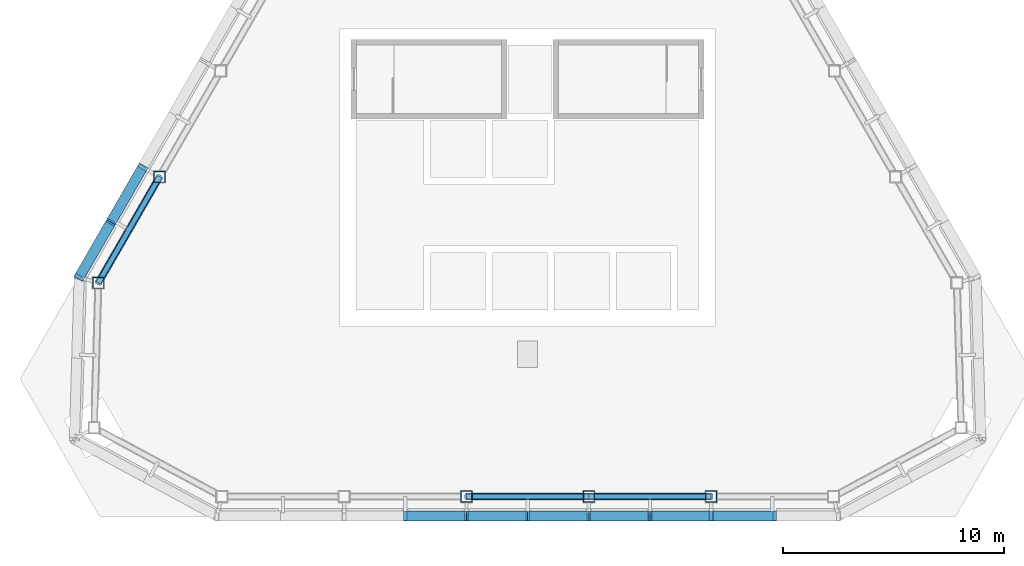
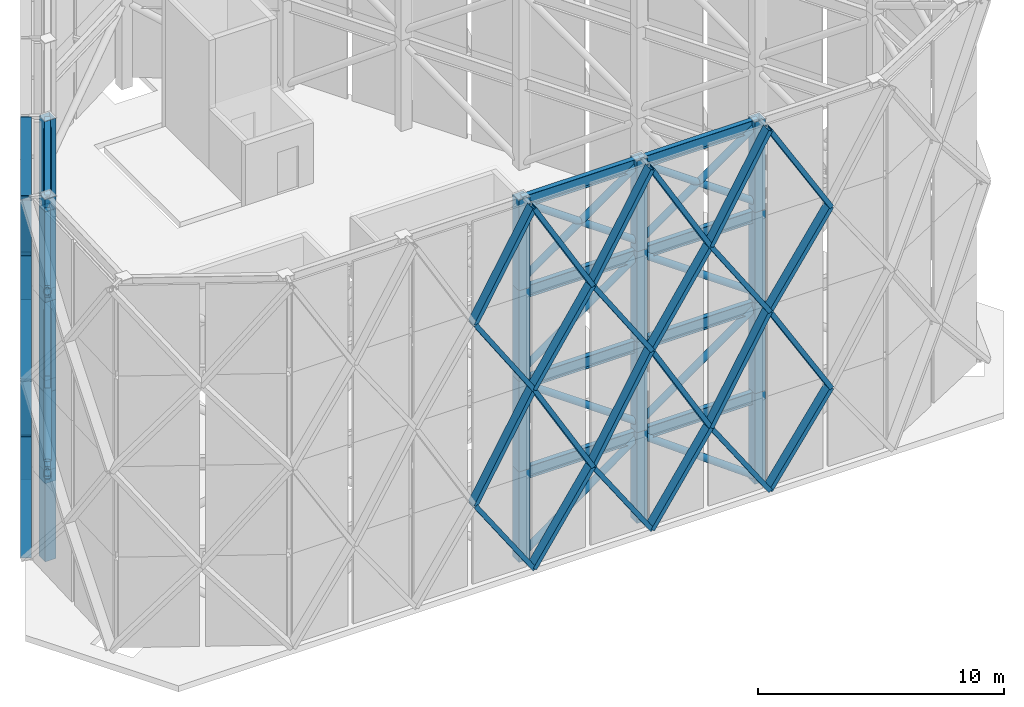
# One storey, part 2 of 12: 67 members, 12 beams.
"""IFC4 building model written with IfcOpenShell, lengths in metres."""

import ifcopenshell
import ifcopenshell.guid

model = None  # the IFC model being written
_history = None  # IfcOwnerHistory: only IFC2X3 demands one
_inside = {}  # id of a spatial element -> (the spatial element, [elements in it])
_under = {}  # id of a project, library or spatial element -> (it, [spatial elements below it])
_declared = {}  # id of a project -> (the project, [libraries it declares])
_typed = {}  # id of a type object -> (the type object, [elements of that type])
_made_of = {}  # id of a material, layer set ... -> (it, [elements and type objects made of it])


def new_model(schema):
    """Start an empty IFC model of exactly this schema.

    Asked for "IFC4X3", IfcOpenShell would pick the latest addendum, in which some entities
    have other attributes; the version numbers below select the first issue.
    IFC2X3 requires an IfcOwnerHistory on every rooted entity: one is made here for all.
    """
    global model, _history
    if schema == "IFC4X3":
        model = ifcopenshell.file(schema_version=(4, 3, 0, 0))
    else:
        model = ifcopenshell.file(schema=schema)
    _inside.clear()
    _under.clear()
    _declared.clear()
    _typed.clear()
    _made_of.clear()
    _history = None
    if model.schema == "IFC2X3":
        org = make("IfcOrganization", Name="unknown")
        user = make(
            "IfcPersonAndOrganization",
            ThePerson=make("IfcPerson", FamilyName="unknown"),
            TheOrganization=org,
        )
        app = make(
            "IfcApplication",
            ApplicationDeveloper=org,
            Version="unknown",
            ApplicationFullName="unknown",
            ApplicationIdentifier="unknown",
        )
        _history = make(
            "IfcOwnerHistory",
            OwningUser=user,
            OwningApplication=app,
            ChangeAction="ADDED",
            CreationDate=0,
        )
    return model


def make(cls, **values):
    """One entity of the class cls with the attributes given. An attribute that is None is left unset."""
    return model.create_entity(
        cls, **{name: value for name, value in values.items() if value is not None}
    )


def rooted(cls, **values):
    """An entity with a GlobalId (a new one), such as an element, a storey or a relation."""
    return make(cls, GlobalId=ifcopenshell.guid.new(), OwnerHistory=_history, **values)


def si_unit(unit_type, name, prefix=None):
    """IfcSIUnit, for example si_unit("LENGTHUNIT", "METRE", prefix="MILLI")."""
    return make("IfcSIUnit", UnitType=unit_type, Prefix=prefix, Name=name)


def assignment(units):
    """IfcUnitAssignment: the units of a project."""
    return None if units is None else make("IfcUnitAssignment", Units=units)


def point(xyz):
    """IfcCartesianPoint."""
    return None if xyz is None else make("IfcCartesianPoint", Coordinates=xyz)


def direction(xyz):
    """IfcDirection."""
    return None if xyz is None else make("IfcDirection", DirectionRatios=xyz)


def frame(location, z_axis=None, x_axis=None):
    """IfcAxis2Placement3D, a coordinate frame: its origin and axes. An axis left out is left unset."""
    return make(
        "IfcAxis2Placement3D",
        Location=point(location),
        Axis=direction(z_axis),
        RefDirection=direction(x_axis),
    )


def frame_2d(location, x_axis=None):
    """IfcAxis2Placement2D, a coordinate frame in the plane: its origin and x axis."""
    return make(
        "IfcAxis2Placement2D", Location=point(location), RefDirection=direction(x_axis)
    )


def origin():
    """The frame at (0, 0, 0) with its axes left unset."""
    return frame((0.0, 0.0, 0.0))


def origin_2d():
    """The frame at (0, 0) in the plane with its x axis left unset."""
    return frame_2d((0.0, 0.0))


def place(relative_to, where):
    """IfcLocalPlacement: puts the frame where relative to a parent placement (None: the world)."""
    return make(
        "IfcLocalPlacement", PlacementRelTo=relative_to, RelativePlacement=where
    )


def context(
    kind, dimensions, precision=None, world=None, true_north=None, identifier=None
):
    """IfcGeometricRepresentationContext, for example the 3D "Model" context."""
    return make(
        "IfcGeometricRepresentationContext",
        ContextIdentifier=identifier,
        ContextType=kind,
        CoordinateSpaceDimension=dimensions,
        Precision=precision,
        WorldCoordinateSystem=world,
        TrueNorth=true_north,
    )


def subcontext(parent, identifier, kind, view, scale=None):
    """IfcGeometricRepresentationSubContext, for example "Body" below "Model"."""
    return make(
        "IfcGeometricRepresentationSubContext",
        ContextIdentifier=identifier,
        ContextType=kind,
        ParentContext=parent,
        TargetScale=scale,
        TargetView=view,
    )


def project(units=None, contexts=None):
    """IfcProject with its units and contexts."""
    return rooted(
        "IfcProject",
        Name="project",
        RepresentationContexts=contexts,
        UnitsInContext=assignment(units),
    )


def spatial(cls, under=None, at=None, **own):
    """A site, building, storey or space (cls), placed at a placement, below another one or the project."""
    s = rooted(cls, ObjectPlacement=at, **own)
    if under is not None:
        _under.setdefault(under.id(), (under, []))[1].append(s)
    return s


def profile(cls, at=None, kind="AREA", **sizes):
    """A parametric profile (cls). Its sizes go by their IFC names, for example OverallWidth=200.0."""
    return make(cls, ProfileType=kind, Position=at, **sizes)


def hollow_rectangle(**sizes):
    """IfcRectangleHollowProfileDef."""
    return profile("IfcRectangleHollowProfileDef", **sizes)


def hollow_circle(**sizes):
    """IfcCircleHollowProfileDef."""
    return profile("IfcCircleHollowProfileDef", **sizes)


def i_section(**sizes):
    """IfcIShapeProfileDef."""
    return profile("IfcIShapeProfileDef", **sizes)


def extrude(swept, where, along, depth):
    """IfcExtrudedAreaSolid: the profile swept, set in the frame where, extruded along a direction by depth."""
    return make(
        "IfcExtrudedAreaSolid",
        SweptArea=swept,
        Position=where,
        ExtrudedDirection=direction(along),
        Depth=depth,
    )


def shape(context_of_items, identifier, shape_type, items):
    """IfcShapeRepresentation: the items that make up one representation, for example the "Body"."""
    return make(
        "IfcShapeRepresentation",
        ContextOfItems=context_of_items,
        RepresentationIdentifier=identifier,
        RepresentationType=shape_type,
        Items=items,
    )


def material(Name=None, Category=None):
    """IfcMaterial."""
    return make("IfcMaterial", Name=Name, Category=Category)


def material_profile(
    of_material, cross_section, Name=None, Category=None, Priority=None
):
    """IfcMaterialProfile: a cross section and its material."""
    return make(
        "IfcMaterialProfile",
        Name=Name,
        Material=of_material,
        Profile=cross_section,
        Priority=Priority,
        Category=Category,
    )


def profile_set(profiles, Name=None, composite=None):
    """IfcMaterialProfileSet."""
    return make(
        "IfcMaterialProfileSet",
        Name=Name,
        MaterialProfiles=profiles,
        CompositeProfile=composite,
    )


def made_of(thing, what):
    """Note that an element or type object is made of a material, layer set ...; save() writes the relation."""
    if what is not None:
        _made_of.setdefault(what.id(), (what, []))[1].append(thing)
    return thing


def type_object(cls, material=None, **own):
    """A type object (cls), such as IfcWallType, which elements share."""
    return made_of(rooted(cls, **own), material)


def element(
    cls,
    number,
    at=None,
    inside=None,
    cuts=None,
    type_object=None,
    material=None,
    context=None,
    identifier="Body",
    shape_type=None,
    held_by="IfcProductDefinitionShape",
    body=None,
    shapes=None,
    **own,
):
    """One element of the class cls, such as IfcWall. Its Tag is "e" and its number.

    at: its placement. inside: the storey or other place that contains it. cuts: it is an
    opening in that element (IfcRelVoidsElement). A single representation is given by context,
    identifier, shape_type and body (its items); several are given by shapes. held_by: the class
    of the entity that holds the representations. save() writes the other relations.
    """
    e = rooted(cls, Tag="e%d" % number, ObjectPlacement=at, **own)
    if body is not None:
        shapes = [shape(context, identifier, shape_type, body)]
    if shapes is not None:
        e.Representation = make(held_by, Representations=shapes)
    if inside is not None:
        _inside.setdefault(inside.id(), (inside, []))[1].append(e)
    if cuts is not None:
        rooted(
            "IfcRelVoidsElement", RelatingBuildingElement=cuts, RelatedOpeningElement=e
        )
    if type_object is not None:
        _typed.setdefault(type_object.id(), (type_object, []))[1].append(e)
    return made_of(e, material)


def aggregate(whole, parts):
    """IfcRelAggregates: a whole, such as a stair, and the parts it consists of."""
    return rooted("IfcRelAggregates", RelatingObject=whole, RelatedObjects=parts)


def save(model, path):
    """Write the relations noted so far, then the file.

    IfcRelAggregates (storeys below a building ...), IfcRelContainedInSpatialStructure (elements
    in a storey), IfcRelDefinesByType, IfcRelAssociatesMaterial and IfcRelDeclares: one each for
    every whole, place, type object, material and project.
    """
    for whole, parts in _under.values():
        aggregate(whole, parts)
    for where, things in _inside.values():
        rooted(
            "IfcRelContainedInSpatialStructure",
            RelatedElements=things,
            RelatingStructure=where,
        )
    for kind, things in _typed.values():
        rooted("IfcRelDefinesByType", RelatedObjects=things, RelatingType=kind)
    for what, things in _made_of.values():
        rooted("IfcRelAssociatesMaterial", RelatedObjects=things, RelatingMaterial=what)
    for by, libraries in _declared.values():
        rooted("IfcRelDeclares", RelatingContext=by, RelatedDefinitions=libraries)
    model.write(path)


model = new_model("IFC4")

# Units and contexts
model_context = context("Model", 3, precision=1e-05, world=origin(), true_north=direction((0.0, 1.0)))
body_context = subcontext(model_context, "Body", "Model", "MODEL_VIEW")
ifc_project = project(units=[si_unit("LENGTHUNIT", "METRE"), si_unit("AREAUNIT", "SQUARE_METRE"), si_unit("VOLUMEUNIT", "CUBIC_METRE"), si_unit("PLANEANGLEUNIT", "RADIAN"), si_unit("MASSUNIT", "GRAM", prefix="KILO")], contexts=[model_context])

# Site, building, storey
site_placement = place(None, origin())
site = spatial("IfcSite", under=ifc_project, at=site_placement, CompositionType="ELEMENT")
building_placement = place(site_placement, origin())
building = spatial("IfcBuilding", under=site, at=building_placement, Name="Firuza Gate Tower and Library", CompositionType="ELEMENT")
storey_placement = place(building_placement, frame((0.0, 0.0, 339.60009765625)))
storey = spatial("IfcBuildingStorey", under=building, at=storey_placement, Name="Roof", CompositionType="ELEMENT", Elevation=339.60009765625)

# Members
ifc_material_1 = material(Name="Steel S355", Category="steel")
ifc_material_profile_1 = material_profile(ifc_material_1, hollow_rectangle(XDim=0.457275390625, YDim=0.203125, WallThickness=0.01171875, at=origin_2d()))
ifc_profile_set_1 = profile_set([ifc_material_profile_1], Name="Steel S355")
member_type_1 = type_object("IfcMemberType", Name="Crown lattice bar HSS203x457x13", PredefinedType="BRACE", material=ifc_profile_set_1)
member_1_placement = place(storey_placement, frame((69.45703125, 59.663818359375, 4.198486328125), z_axis=(0.560154033806, 0.0, -0.828388470713), x_axis=(0.0, 1.0, 0.0)))
element("IfcMember", 1, at=member_1_placement, inside=storey, type_object=member_type_1, Name="Crown lattice bar 4.1b", PredefinedType="BRACE", context=body_context, shape_type="SweptSolid", body=[
    extrude(hollow_rectangle(XDim=0.457275390625, YDim=0.203125, WallThickness=0.01171875, at=origin_2d()), origin(), (0.0, 0.0, 1.0), 4.94775390625),
])
member_2_placement = place(storey_placement, frame((69.45703125, 59.663818359375, 4.198486328125), z_axis=(0.499909245226, 0.0, 0.866077794738), x_axis=(0.0, 1.0, 0.0)))
element("IfcMember", 2, at=member_2_placement, inside=storey, type_object=member_type_1, Name="Crown lattice bar 4.2b", PredefinedType="BRACE", context=body_context, shape_type="SweptSolid", body=[
    extrude(hollow_rectangle(XDim=0.457275390625, YDim=0.203125, WallThickness=0.01171875, at=origin_2d()), origin(), (0.0, 0.0, 1.0), 5.5439453125),
])
member_3_placement = place(storey_placement, frame((69.45703125, 59.663818359375, 13.198486328125), z_axis=(0.550909139412, 0.0, -0.834565228195), x_axis=(0.0, 1.0, 0.0)))
element("IfcMember", 3, at=member_3_placement, inside=storey, type_object=member_type_1, Name="Crown lattice bar 4.3b", PredefinedType="BRACE", context=body_context, shape_type="SweptSolid", body=[
    extrude(hollow_rectangle(XDim=0.457275390625, YDim=0.203125, WallThickness=0.01171875, at=origin_2d()), origin(), (0.0, 0.0, 1.0), 5.03076171875),
])
member_4_placement = place(storey_placement, frame((69.45703125, 59.663818359375, 13.198486328125), z_axis=(0.499909245226, 0.0, 0.866077794738), x_axis=(0.0, 1.0, 0.0)))
element("IfcMember", 4, at=member_4_placement, inside=storey, type_object=member_type_1, Name="Crown lattice bar 4.4b", PredefinedType="BRACE", context=body_context, shape_type="SweptSolid", body=[
    extrude(hollow_rectangle(XDim=0.457275390625, YDim=0.203125, WallThickness=0.01171875, at=origin_2d()), origin(), (0.0, 0.0, 1.0), 5.5439453125),
])
for number, where, z_axis, x_axis, name in (
    (5, (72.228515625, 59.663818359375, 0.099853515625), (0.560154033806, 0.0, 0.828388470713), (0.0, 1.0, 0.0), "Crown lattice bar 5.1a"),
    (6, (75.0, 59.663818359375, 4.198486328125), (0.560154033806, 0.0, -0.828388470713), (0.0, 1.0, 0.0), "Crown lattice bar 5.1b"),
):
    element("IfcMember", number, at=place(storey_placement, frame(where, z_axis=z_axis, x_axis=x_axis)), inside=storey, type_object=member_type_1, Name=name, PredefinedType="BRACE", context=body_context, shape_type="SweptSolid", body=[
        extrude(hollow_rectangle(XDim=0.457275390625, YDim=0.203125, WallThickness=0.01171875, at=origin_2d()), origin(), (0.0, 0.0, 1.0), 4.94775390625),
    ])
for number, where, z_axis, x_axis, name in (
    (7, (72.228515625, 59.663818359375, 9.0), (0.499909245226, 0.0, -0.866077794738), (0.0, 1.0, 0.0), "Crown lattice bar 5.2a"),
    (8, (75.0, 59.663818359375, 4.198486328125), (0.499909245226, 0.0, 0.866077794738), (0.0, 1.0, 0.0), "Crown lattice bar 5.2b"),
):
    element("IfcMember", number, at=place(storey_placement, frame(where, z_axis=z_axis, x_axis=x_axis)), inside=storey, type_object=member_type_1, Name=name, PredefinedType="BRACE", context=body_context, shape_type="SweptSolid", body=[
        extrude(hollow_rectangle(XDim=0.457275390625, YDim=0.203125, WallThickness=0.01171875, at=origin_2d()), origin(), (0.0, 0.0, 1.0), 5.5439453125),
    ])
for number, where, z_axis, x_axis, name in (
    (9, (72.228515625, 59.663818359375, 9.0), (0.550909139412, 0.0, 0.834565228195), (0.0, 1.0, 0.0), "Crown lattice bar 5.3a"),
    (10, (75.0, 59.663818359375, 13.198486328125), (0.550909139412, 0.0, -0.834565228195), (0.0, 1.0, 0.0), "Crown lattice bar 5.3b"),
):
    element("IfcMember", number, at=place(storey_placement, frame(where, z_axis=z_axis, x_axis=x_axis)), inside=storey, type_object=member_type_1, Name=name, PredefinedType="BRACE", context=body_context, shape_type="SweptSolid", body=[
        extrude(hollow_rectangle(XDim=0.457275390625, YDim=0.203125, WallThickness=0.01171875, at=origin_2d()), origin(), (0.0, 0.0, 1.0), 5.03076171875),
    ])
for number, where, z_axis, x_axis, name in (
    (11, (72.228515625, 59.663818359375, 18.0), (0.499909245226, 0.0, -0.866077794738), (0.0, 1.0, 0.0), "Crown lattice bar 5.4a"),
    (12, (75.0, 59.663818359375, 13.198486328125), (0.499909245226, 0.0, 0.866077794738), (0.0, 1.0, 0.0), "Crown lattice bar 5.4b"),
):
    element("IfcMember", number, at=place(storey_placement, frame(where, z_axis=z_axis, x_axis=x_axis)), inside=storey, type_object=member_type_1, Name=name, PredefinedType="BRACE", context=body_context, shape_type="SweptSolid", body=[
        extrude(hollow_rectangle(XDim=0.457275390625, YDim=0.203125, WallThickness=0.01171875, at=origin_2d()), origin(), (0.0, 0.0, 1.0), 5.5439453125),
    ])
member_5_placement = place(storey_placement, frame((77.771484375, 59.663818359375, 0.099853515625), z_axis=(0.560154033806, 0.0, 0.828388470713), x_axis=(0.0, 1.0, 0.0)))
element("IfcMember", 13, at=member_5_placement, inside=storey, type_object=member_type_1, Name="Crown lattice bar 6.1a", PredefinedType="BRACE", context=body_context, shape_type="SweptSolid", body=[
    extrude(hollow_rectangle(XDim=0.457275390625, YDim=0.203125, WallThickness=0.01171875, at=origin_2d()), origin(), (0.0, 0.0, 1.0), 4.94775390625),
])
member_6_placement = place(storey_placement, frame((80.54296875, 59.663818359375, 4.198486328125), z_axis=(0.560120171137, 0.0, -0.828411367549), x_axis=(0.0, 1.0, 0.0)))
element("IfcMember", 14, at=member_6_placement, inside=storey, type_object=member_type_1, Name="Crown lattice bar 6.1b", PredefinedType="BRACE", context=body_context, shape_type="SweptSolid", body=[
    extrude(hollow_rectangle(XDim=0.457275390625, YDim=0.203125, WallThickness=0.01171875, at=origin_2d()), origin(), (0.0, 0.0, 1.0), 4.947509765625),
])
for number, where, z_axis, x_axis, name in (
    (15, (77.771484375, 59.663818359375, 9.0), (0.499909245226, 0.0, -0.866077794738), (0.0, 1.0, 0.0), "Crown lattice bar 6.2a"),
    (16, (80.54296875, 59.663818359375, 4.198486328125), (0.499876212308, 0.0, 0.866096860847), (0.0, 1.0, 0.0), "Crown lattice bar 6.2b"),
):
    element("IfcMember", number, at=place(storey_placement, frame(where, z_axis=z_axis, x_axis=x_axis)), inside=storey, type_object=member_type_1, Name=name, PredefinedType="BRACE", context=body_context, shape_type="SweptSolid", body=[
        extrude(hollow_rectangle(XDim=0.457275390625, YDim=0.203125, WallThickness=0.01171875, at=origin_2d()), origin(), (0.0, 0.0, 1.0), 5.5439453125),
    ])
member_7_placement = place(storey_placement, frame((77.771484375, 59.663818359375, 9.0), z_axis=(0.550909139412, 0.0, 0.834565228195), x_axis=(0.0, 1.0, 0.0)))
element("IfcMember", 17, at=member_7_placement, inside=storey, type_object=member_type_1, Name="Crown lattice bar 6.3a", PredefinedType="BRACE", context=body_context, shape_type="SweptSolid", body=[
    extrude(hollow_rectangle(XDim=0.457275390625, YDim=0.203125, WallThickness=0.01171875, at=origin_2d()), origin(), (0.0, 0.0, 1.0), 5.03076171875),
])
member_8_placement = place(storey_placement, frame((80.54296875, 59.663818359375, 13.198486328125), z_axis=(0.550875337164, 0.0, -0.834587540588), x_axis=(0.0, 1.0, 0.0)))
element("IfcMember", 18, at=member_8_placement, inside=storey, type_object=member_type_1, Name="Crown lattice bar 6.3b", PredefinedType="BRACE", context=body_context, shape_type="SweptSolid", body=[
    extrude(hollow_rectangle(XDim=0.457275390625, YDim=0.203125, WallThickness=0.01171875, at=origin_2d()), origin(), (0.0, 0.0, 1.0), 5.030517578125),
])
for number, where, z_axis, x_axis, name in (
    (19, (77.771484375, 59.663818359375, 18.0), (0.499909245226, 0.0, -0.866077794738), (0.0, 1.0, 0.0), "Crown lattice bar 6.4a"),
    (20, (80.54296875, 59.663818359375, 13.198486328125), (0.499876212308, 0.0, 0.866096860847), (0.0, 1.0, 0.0), "Crown lattice bar 6.4b"),
):
    element("IfcMember", number, at=place(storey_placement, frame(where, z_axis=z_axis, x_axis=x_axis)), inside=storey, type_object=member_type_1, Name=name, PredefinedType="BRACE", context=body_context, shape_type="SweptSolid", body=[
        extrude(hollow_rectangle(XDim=0.457275390625, YDim=0.203125, WallThickness=0.01171875, at=origin_2d()), origin(), (0.0, 0.0, 1.0), 5.5439453125),
    ])
member_9_placement = place(storey_placement, frame((83.314208984375, 59.663818359375, 0.099853515625), z_axis=(0.575239922405, 0.0, 0.817984738043), x_axis=(0.0, 1.0, 0.0)))
element("IfcMember", 21, at=member_9_placement, inside=storey, type_object=member_type_1, Name="Crown lattice bar 7.1a", PredefinedType="BRACE", context=body_context, shape_type="SweptSolid", body=[
    extrude(hollow_rectangle(XDim=0.457275390625, YDim=0.203125, WallThickness=0.01171875, at=origin_2d()), origin(), (0.0, 0.0, 1.0), 5.0107421875),
])
member_10_placement = place(storey_placement, frame((83.314208984375, 59.663818359375, 9.0), z_axis=(0.51468166286, 0.0, -0.857381353842), x_axis=(0.0, 1.0, 0.0)))
element("IfcMember", 22, at=member_10_placement, inside=storey, type_object=member_type_1, Name="Crown lattice bar 7.2a", PredefinedType="BRACE", context=body_context, shape_type="SweptSolid", body=[
    extrude(hollow_rectangle(XDim=0.457275390625, YDim=0.203125, WallThickness=0.01171875, at=origin_2d()), origin(), (0.0, 0.0, 1.0), 5.60009765625),
])
member_11_placement = place(storey_placement, frame((83.314208984375, 59.663818359375, 9.0), z_axis=(0.565977324743, 0.0, 0.824420807523), x_axis=(0.0, 1.0, 0.0)))
element("IfcMember", 23, at=member_11_placement, inside=storey, type_object=member_type_1, Name="Crown lattice bar 7.3a", PredefinedType="BRACE", context=body_context, shape_type="SweptSolid", body=[
    extrude(hollow_rectangle(XDim=0.457275390625, YDim=0.203125, WallThickness=0.01171875, at=origin_2d()), origin(), (0.0, 0.0, 1.0), 5.092529296875),
])
member_12_placement = place(storey_placement, frame((83.314208984375, 59.663818359375, 18.0), z_axis=(0.51468166286, 0.0, -0.857381353842), x_axis=(0.0, 1.0, 0.0)))
element("IfcMember", 24, at=member_12_placement, inside=storey, type_object=member_type_1, Name="Crown lattice bar 7.4a", PredefinedType="BRACE", context=body_context, shape_type="SweptSolid", body=[
    extrude(hollow_rectangle(XDim=0.457275390625, YDim=0.203125, WallThickness=0.01171875, at=origin_2d()), origin(), (0.0, 0.0, 1.0), 5.60009765625),
])
member_13_placement = place(storey_placement, frame((57.561279296875, 75.4677734375, 0.099853515625), z_axis=(-0.287570351699, -0.498205158611, 0.817982220319), x_axis=(0.866076985468, -0.49991064726, 0.0)))
element("IfcMember", 25, at=member_13_placement, inside=storey, type_object=member_type_1, Name="Crown lattice bar 21.1a", PredefinedType="BRACE", context=body_context, shape_type="SweptSolid", body=[
    extrude(hollow_rectangle(XDim=0.457275390625, YDim=0.203125, WallThickness=0.01171875, at=origin_2d()), origin(), (0.0, 0.0, 1.0), 5.0107421875),
])
member_14_placement = place(storey_placement, frame((56.120361328125, 72.971435546875, 4.198486328125), z_axis=(-0.287622027122, -0.498161545874, -0.817990613471), x_axis=(0.866019137337, -0.500010853648, 0.0)))
element("IfcMember", 26, at=member_14_placement, inside=storey, type_object=member_type_1, Name="Crown lattice bar 21.1b", PredefinedType="BRACE", context=body_context, shape_type="SweptSolid", body=[
    extrude(hollow_rectangle(XDim=0.457275390625, YDim=0.203125, WallThickness=0.01171875, at=origin_2d()), origin(), (0.0, 0.0, 1.0), 5.010498046875),
])
member_15_placement = place(storey_placement, frame((57.561279296875, 75.4677734375, 9.0), z_axis=(-0.257296602523, -0.445756990986, -0.857379241244), x_axis=(0.866076985468, -0.49991064726, 0.0)))
element("IfcMember", 27, at=member_15_placement, inside=storey, type_object=member_type_1, Name="Crown lattice bar 21.2a", PredefinedType="BRACE", context=body_context, shape_type="SweptSolid", body=[
    extrude(hollow_rectangle(XDim=0.457275390625, YDim=0.203125, WallThickness=0.01171875, at=origin_2d()), origin(), (0.0, 0.0, 1.0), 5.600341796875),
])
member_16_placement = place(storey_placement, frame((56.120361328125, 72.971435546875, 4.198486328125), z_axis=(-0.257342311156, -0.445717057303, 0.85738628384), x_axis=(0.866019137337, -0.500010853648, 0.0)))
element("IfcMember", 28, at=member_16_placement, inside=storey, type_object=member_type_1, Name="Crown lattice bar 21.2b", PredefinedType="BRACE", context=body_context, shape_type="SweptSolid", body=[
    extrude(hollow_rectangle(XDim=0.457275390625, YDim=0.203125, WallThickness=0.01171875, at=origin_2d()), origin(), (0.0, 0.0, 1.0), 5.60009765625),
])
member_17_placement = place(storey_placement, frame((57.561279296875, 75.4677734375, 9.0), z_axis=(-0.282939879508, -0.49018303422, 0.824418351049), x_axis=(0.866076985468, -0.49991064726, 0.0)))
element("IfcMember", 29, at=member_17_placement, inside=storey, type_object=member_type_1, Name="Crown lattice bar 21.3a", PredefinedType="BRACE", context=body_context, shape_type="SweptSolid", body=[
    extrude(hollow_rectangle(XDim=0.457275390625, YDim=0.203125, WallThickness=0.01171875, at=origin_2d()), origin(), (0.0, 0.0, 1.0), 5.0927734375),
])
member_18_placement = place(storey_placement, frame((56.120361328125, 72.971435546875, 13.198486328125), z_axis=(-0.282990630091, -0.490139963079, -0.82442654001), x_axis=(0.866019137337, -0.500010853648, 0.0)))
element("IfcMember", 30, at=member_18_placement, inside=storey, type_object=member_type_1, Name="Crown lattice bar 21.3b", PredefinedType="BRACE", context=body_context, shape_type="SweptSolid", body=[
    extrude(hollow_rectangle(XDim=0.457275390625, YDim=0.203125, WallThickness=0.01171875, at=origin_2d()), origin(), (0.0, 0.0, 1.0), 5.092529296875),
])
member_19_placement = place(storey_placement, frame((57.561279296875, 75.4677734375, 18.0), z_axis=(-0.257296602523, -0.445756990986, -0.857379241244), x_axis=(0.866076985468, -0.49991064726, 0.0)))
element("IfcMember", 31, at=member_19_placement, inside=storey, type_object=member_type_1, Name="Crown lattice bar 21.4a", PredefinedType="BRACE", context=body_context, shape_type="SweptSolid", body=[
    extrude(hollow_rectangle(XDim=0.457275390625, YDim=0.203125, WallThickness=0.01171875, at=origin_2d()), origin(), (0.0, 0.0, 1.0), 5.600341796875),
])
member_20_placement = place(storey_placement, frame((56.120361328125, 72.971435546875, 13.198486328125), z_axis=(-0.257342311156, -0.445717057303, 0.85738628384), x_axis=(0.866019137337, -0.500010853648, 0.0)))
element("IfcMember", 32, at=member_20_placement, inside=storey, type_object=member_type_1, Name="Crown lattice bar 21.4b", PredefinedType="BRACE", context=body_context, shape_type="SweptSolid", body=[
    extrude(hollow_rectangle(XDim=0.457275390625, YDim=0.203125, WallThickness=0.01171875, at=origin_2d()), origin(), (0.0, 0.0, 1.0), 5.60009765625),
])
ifc_material_2 = material(Name="Steel S355", Category="steel")
ifc_material_profile_2 = material_profile(ifc_material_2, hollow_circle(Radius=0.161865234375, WallThickness=0.01171875, at=origin_2d()))
ifc_profile_set_2 = profile_set([ifc_material_profile_2], Name="Steel S355")
member_type_2 = type_object("IfcMemberType", Name="HSS324x13 CROWN FRAME brace", PredefinedType="BRACE", material=ifc_profile_set_2)
for number, where, z_axis, x_axis, name in (
    (33, (72.228515625, 60.54248046875, 0.161865234375), (0.808363326322, 0.0, 0.588683898758), (0.0, 1.0, 0.0), "CROWN FRAME brace tier 1 5"),
    (34, (83.314208984375, 60.54248046875, 0.161865234375), (-0.808350987114, 0.0, 0.588700842221), (0.0, -1.0, 0.0), "CROWN FRAME brace tier 1 6"),
    (35, (58.322265625, 75.0283203125, 0.161865234375), (-0.40418408875, -0.700058804881, 0.588687431589), (0.86602275259, -0.500004591975, 0.0), "CROWN FRAME brace tier 1 21"),
):
    element("IfcMember", number, at=place(storey_placement, frame(where, z_axis=z_axis, x_axis=x_axis)), inside=storey, type_object=member_type_2, Name=name, PredefinedType="BRACE", context=body_context, shape_type="SweptSolid", body=[
        extrude(hollow_circle(Radius=0.161865234375, WallThickness=0.01171875, at=origin_2d()), origin(), (0.0, 0.0, 1.0), 6.85693359375),
    ])
member_21_placement = place(storey_placement, frame((77.771484375, 60.54248046875, 4.801513671875), z_axis=(-0.818058825437, 0.0, 0.575134556538), x_axis=(0.0, -1.0, 0.0)))
element("IfcMember", 36, at=member_21_placement, inside=storey, type_object=member_type_2, Name="CROWN FRAME brace tier 2 5", PredefinedType="BRACE", context=body_context, shape_type="SweptSolid", body=[
    extrude(hollow_circle(Radius=0.161865234375, WallThickness=0.01171875, at=origin_2d()), origin(), (0.0, 0.0, 1.0), 6.77587890625),
])
for number, where, z_axis, x_axis, name in (
    (37, (77.771484375, 60.54248046875, 4.801513671875), (0.818046906425, 0.0, 0.575151509508), (0.0, 1.0, 0.0), "CROWN FRAME brace tier 2 6"),
    (38, (55.55078125, 70.22802734375, 4.801513671875), (0.409031926637, 0.708455403588, 0.575138091347), (-0.86602275259, 0.500004591975, 0.0), "CROWN FRAME brace tier 2 21"),
):
    element("IfcMember", number, at=place(storey_placement, frame(where, z_axis=z_axis, x_axis=x_axis)), inside=storey, type_object=member_type_2, Name=name, PredefinedType="BRACE", context=body_context, shape_type="SweptSolid", body=[
        extrude(hollow_circle(Radius=0.161865234375, WallThickness=0.01171875, at=origin_2d()), origin(), (0.0, 0.0, 1.0), 6.775634765625),
    ])
member_22_placement = place(storey_placement, frame((72.228515625, 60.54248046875, 9.301513671875), z_axis=(0.818058825437, 0.0, 0.575134556538), x_axis=(0.0, 1.0, 0.0)))
element("IfcMember", 39, at=member_22_placement, inside=storey, type_object=member_type_2, Name="CROWN FRAME brace tier 3 5", PredefinedType="BRACE", context=body_context, shape_type="SweptSolid", body=[
    extrude(hollow_circle(Radius=0.161865234375, WallThickness=0.01171875, at=origin_2d()), origin(), (0.0, 0.0, 1.0), 6.77587890625),
])
for number, where, z_axis, x_axis, name in (
    (40, (83.314208984375, 60.54248046875, 9.301513671875), (-0.818046906425, 0.0, 0.575151509508), (0.0, -1.0, 0.0), "CROWN FRAME brace tier 3 6"),
    (41, (58.322265625, 75.0283203125, 9.301513671875), (-0.409031926637, -0.708455403588, 0.575138091347), (0.86602275259, -0.500004591975, 0.0), "CROWN FRAME brace tier 3 21"),
):
    element("IfcMember", number, at=place(storey_placement, frame(where, z_axis=z_axis, x_axis=x_axis)), inside=storey, type_object=member_type_2, Name=name, PredefinedType="BRACE", context=body_context, shape_type="SweptSolid", body=[
        extrude(hollow_circle(Radius=0.161865234375, WallThickness=0.01171875, at=origin_2d()), origin(), (0.0, 0.0, 1.0), 6.775634765625),
    ])
for number, where, z_axis, x_axis, name in (
    (42, (77.771484375, 60.54248046875, 13.801513671875), (-0.818058825437, 0.0, 0.575134556538), (0.0, -1.0, 0.0), "CROWN FRAME brace tier 4 5"),
    (43, (72.228515625, 60.54248046875, 13.801513671875), (0.818058825437, 0.0, 0.575134556538), (0.0, 1.0, 0.0), "CROWN FRAME counter brace tier 4 5"),
):
    element("IfcMember", number, at=place(storey_placement, frame(where, z_axis=z_axis, x_axis=x_axis)), inside=storey, type_object=member_type_2, Name=name, PredefinedType="BRACE", context=body_context, shape_type="SweptSolid", body=[
        extrude(hollow_circle(Radius=0.161865234375, WallThickness=0.01171875, at=origin_2d()), origin(), (0.0, 0.0, 1.0), 6.77587890625),
    ])
for number, where, z_axis, x_axis, name in (
    (44, (77.771484375, 60.54248046875, 13.801513671875), (0.818046906425, 0.0, 0.575151509508), (0.0, 1.0, 0.0), "CROWN FRAME brace tier 4 6"),
    (45, (83.314208984375, 60.54248046875, 13.801513671875), (-0.818046906425, 0.0, 0.575151509508), (0.0, -1.0, 0.0), "CROWN FRAME counter brace tier 4 6"),
    (46, (55.55078125, 70.22802734375, 13.801513671875), (0.409031926637, 0.708455403588, 0.575138091347), (-0.86602275259, 0.500004591975, 0.0), "CROWN FRAME brace tier 4 21"),
    (47, (58.322265625, 75.0283203125, 13.801513671875), (-0.409031926637, -0.708455403588, 0.575138091347), (0.86602275259, -0.500004591975, 0.0), "CROWN FRAME counter brace tier 4 21"),
):
    element("IfcMember", number, at=place(storey_placement, frame(where, z_axis=z_axis, x_axis=x_axis)), inside=storey, type_object=member_type_2, Name=name, PredefinedType="BRACE", context=body_context, shape_type="SweptSolid", body=[
        extrude(hollow_circle(Radius=0.161865234375, WallThickness=0.01171875, at=origin_2d()), origin(), (0.0, 0.0, 1.0), 6.775634765625),
    ])
ifc_material_3 = material(Name="Steel S355", Category="steel")
ifc_material_profile_3 = material_profile(ifc_material_3, hollow_rectangle(XDim=0.508056640625, YDim=0.508056640625, WallThickness=0.014892578125, at=origin_2d()))
ifc_profile_set_3 = profile_set([ifc_material_profile_3], Name="Steel S355")
member_type_3 = type_object("IfcMemberType", Name="HSS508x508x16 CROWN FRAME post", PredefinedType="POST", material=ifc_profile_set_3)
member_23_placement = place(storey_placement, frame((55.55078125, 70.22802734375, -0.00048828125), z_axis=(0.0, 0.0, 1.0), x_axis=(1.0, 0.0, 0.0)))
element("IfcMember", 48, at=member_23_placement, inside=storey, type_object=member_type_3, Name="CROWN FRAME post W6 tier 1", PredefinedType="POST", context=body_context, shape_type="SweptSolid", body=[
    extrude(hollow_rectangle(XDim=0.508056640625, YDim=0.508056640625, WallThickness=0.014892578125, at=origin_2d()), origin(), (0.0, 0.0, 1.0), 4.50048828125),
])
for number, where, z_axis, x_axis, name in (
    (49, (55.55078125, 70.22802734375, 4.5), (0.0, 0.0, 1.0), (1.0, 0.0, 0.0), "CROWN FRAME post W6 tier 2"),
    (50, (55.55078125, 70.22802734375, 9.0), (0.0, 0.0, 1.0), (1.0, 0.0, 0.0), "CROWN FRAME post W6 tier 3"),
    (51, (55.55078125, 70.22802734375, 13.5), (0.0, 0.0, 1.0), (1.0, 0.0, 0.0), "CROWN FRAME post W6 tier 4"),
):
    element("IfcMember", number, at=place(storey_placement, frame(where, z_axis=z_axis, x_axis=x_axis)), inside=storey, type_object=member_type_3, Name=name, PredefinedType="POST", context=body_context, shape_type="SweptSolid", body=[
        extrude(hollow_rectangle(XDim=0.508056640625, YDim=0.508056640625, WallThickness=0.014892578125, at=origin_2d()), origin(), (0.0, 0.0, 1.0), 4.5),
    ])
member_24_placement = place(storey_placement, frame((72.228515625, 60.54248046875, -0.00048828125), z_axis=(0.0, 0.0, 1.0), x_axis=(1.0, 0.0, 0.0)))
element("IfcMember", 52, at=member_24_placement, inside=storey, type_object=member_type_3, Name="CROWN FRAME post S3 tier 1", PredefinedType="POST", context=body_context, shape_type="SweptSolid", body=[
    extrude(hollow_rectangle(XDim=0.508056640625, YDim=0.508056640625, WallThickness=0.014892578125, at=origin_2d()), origin(), (0.0, 0.0, 1.0), 4.50048828125),
])
for number, where, z_axis, x_axis, name in (
    (53, (72.228515625, 60.54248046875, 4.5), (0.0, 0.0, 1.0), (1.0, 0.0, 0.0), "CROWN FRAME post S3 tier 2"),
    (54, (72.228515625, 60.54248046875, 9.0), (0.0, 0.0, 1.0), (1.0, 0.0, 0.0), "CROWN FRAME post S3 tier 3"),
    (55, (72.228515625, 60.54248046875, 13.5), (0.0, 0.0, 1.0), (1.0, 0.0, 0.0), "CROWN FRAME post S3 tier 4"),
):
    element("IfcMember", number, at=place(storey_placement, frame(where, z_axis=z_axis, x_axis=x_axis)), inside=storey, type_object=member_type_3, Name=name, PredefinedType="POST", context=body_context, shape_type="SweptSolid", body=[
        extrude(hollow_rectangle(XDim=0.508056640625, YDim=0.508056640625, WallThickness=0.014892578125, at=origin_2d()), origin(), (0.0, 0.0, 1.0), 4.5),
    ])
member_25_placement = place(storey_placement, frame((77.771484375, 60.54248046875, -0.00048828125), z_axis=(0.0, 0.0, 1.0), x_axis=(1.0, 0.0, 0.0)))
element("IfcMember", 56, at=member_25_placement, inside=storey, type_object=member_type_3, Name="CROWN FRAME post S4 tier 1", PredefinedType="POST", context=body_context, shape_type="SweptSolid", body=[
    extrude(hollow_rectangle(XDim=0.508056640625, YDim=0.508056640625, WallThickness=0.014892578125, at=origin_2d()), origin(), (0.0, 0.0, 1.0), 4.50048828125),
])
for number, where, z_axis, x_axis, name in (
    (57, (77.771484375, 60.54248046875, 4.5), (0.0, 0.0, 1.0), (1.0, 0.0, 0.0), "CROWN FRAME post S4 tier 2"),
    (58, (77.771484375, 60.54248046875, 9.0), (0.0, 0.0, 1.0), (1.0, 0.0, 0.0), "CROWN FRAME post S4 tier 3"),
    (59, (77.771484375, 60.54248046875, 13.5), (0.0, 0.0, 1.0), (1.0, 0.0, 0.0), "CROWN FRAME post S4 tier 4"),
):
    element("IfcMember", number, at=place(storey_placement, frame(where, z_axis=z_axis, x_axis=x_axis)), inside=storey, type_object=member_type_3, Name=name, PredefinedType="POST", context=body_context, shape_type="SweptSolid", body=[
        extrude(hollow_rectangle(XDim=0.508056640625, YDim=0.508056640625, WallThickness=0.014892578125, at=origin_2d()), origin(), (0.0, 0.0, 1.0), 4.5),
    ])
member_26_placement = place(storey_placement, frame((83.314208984375, 60.54248046875, -0.00048828125), z_axis=(0.0, 0.0, 1.0), x_axis=(1.0, 0.0, 0.0)))
element("IfcMember", 60, at=member_26_placement, inside=storey, type_object=member_type_3, Name="CROWN FRAME post S5 tier 1", PredefinedType="POST", context=body_context, shape_type="SweptSolid", body=[
    extrude(hollow_rectangle(XDim=0.508056640625, YDim=0.508056640625, WallThickness=0.014892578125, at=origin_2d()), origin(), (0.0, 0.0, 1.0), 4.50048828125),
])
for number, where, z_axis, x_axis, name in (
    (61, (83.314208984375, 60.54248046875, 4.5), (0.0, 0.0, 1.0), (1.0, 0.0, 0.0), "CROWN FRAME post S5 tier 2"),
    (62, (83.314208984375, 60.54248046875, 9.0), (0.0, 0.0, 1.0), (1.0, 0.0, 0.0), "CROWN FRAME post S5 tier 3"),
    (63, (83.314208984375, 60.54248046875, 13.5), (0.0, 0.0, 1.0), (1.0, 0.0, 0.0), "CROWN FRAME post S5 tier 4"),
):
    element("IfcMember", number, at=place(storey_placement, frame(where, z_axis=z_axis, x_axis=x_axis)), inside=storey, type_object=member_type_3, Name=name, PredefinedType="POST", context=body_context, shape_type="SweptSolid", body=[
        extrude(hollow_rectangle(XDim=0.508056640625, YDim=0.508056640625, WallThickness=0.014892578125, at=origin_2d()), origin(), (0.0, 0.0, 1.0), 4.5),
    ])
member_27_placement = place(storey_placement, frame((58.322265625, 75.0283203125, -0.00048828125), z_axis=(0.0, 0.0, 1.0), x_axis=(1.0, 0.0, 0.0)))
element("IfcMember", 64, at=member_27_placement, inside=storey, type_object=member_type_3, Name="CROWN FRAME post W5 tier 1", PredefinedType="POST", context=body_context, shape_type="SweptSolid", body=[
    extrude(hollow_rectangle(XDim=0.508056640625, YDim=0.508056640625, WallThickness=0.014892578125, at=origin_2d()), origin(), (0.0, 0.0, 1.0), 4.50048828125),
])
for number, where, z_axis, x_axis, name in (
    (65, (58.322265625, 75.0283203125, 4.5), (0.0, 0.0, 1.0), (1.0, 0.0, 0.0), "CROWN FRAME post W5 tier 2"),
    (66, (58.322265625, 75.0283203125, 9.0), (0.0, 0.0, 1.0), (1.0, 0.0, 0.0), "CROWN FRAME post W5 tier 3"),
    (67, (58.322265625, 75.0283203125, 13.5), (0.0, 0.0, 1.0), (1.0, 0.0, 0.0), "CROWN FRAME post W5 tier 4"),
):
    element("IfcMember", number, at=place(storey_placement, frame(where, z_axis=z_axis, x_axis=x_axis)), inside=storey, type_object=member_type_3, Name=name, PredefinedType="POST", context=body_context, shape_type="SweptSolid", body=[
        extrude(hollow_rectangle(XDim=0.508056640625, YDim=0.508056640625, WallThickness=0.014892578125, at=origin_2d()), origin(), (0.0, 0.0, 1.0), 4.5),
    ])

# Beams
ifc_material_4 = material(Name="Steel S355", Category="steel")
ifc_material_profile_4 = material_profile(ifc_material_4, i_section(OverallWidth=0.22802734375, OverallDepth=0.60302734375, WebThickness=0.010498046875, FlangeThickness=0.014892578125, at=origin_2d()))
ifc_profile_set_4 = profile_set([ifc_material_profile_4], Name="Steel S355")
beam_type = type_object("IfcBeamType", Name="W610x101 CROWN FRAME ring beam", PredefinedType="BEAM", material=ifc_profile_set_4)
beam_1_placement = place(storey_placement, frame((72.228515625, 60.54248046875, 4.198486328125), z_axis=(1.0, 0.0, 0.0), x_axis=(0.0, 1.0, 0.0)))
element("IfcBeam", 68, at=beam_1_placement, inside=storey, type_object=beam_type, Name="CROWN FRAME ring beam tier 1 5", PredefinedType="BEAM", context=body_context, shape_type="SweptSolid", body=[
    extrude(i_section(OverallWidth=0.22802734375, OverallDepth=0.60302734375, WebThickness=0.010498046875, FlangeThickness=0.014892578125, at=origin_2d()), origin(), (0.0, 0.0, 1.0), 5.54296875),
])
beam_2_placement = place(storey_placement, frame((77.771484375, 60.54248046875, 4.198486328125), z_axis=(1.0, 0.0, 0.0), x_axis=(0.0, 1.0, 0.0)))
element("IfcBeam", 69, at=beam_2_placement, inside=storey, type_object=beam_type, Name="CROWN FRAME ring beam tier 1 6", PredefinedType="BEAM", context=body_context, shape_type="SweptSolid", body=[
    extrude(i_section(OverallWidth=0.22802734375, OverallDepth=0.60302734375, WebThickness=0.010498046875, FlangeThickness=0.014892578125, at=origin_2d()), origin(), (0.0, 0.0, 1.0), 5.542724609375),
])
for number, where, z_axis, x_axis, name in (
    (70, (58.322265625, 75.0283203125, 4.198486328125), (-0.500004591975, -0.86602275259, 0.0), (0.86602275259, -0.500004591975, 0.0), "CROWN FRAME ring beam tier 1 21"),
    (71, (72.228515625, 60.54248046875, 8.698486328125), (1.0, 0.0, 0.0), (0.0, 1.0, 0.0), "CROWN FRAME ring beam tier 2 5"),
):
    element("IfcBeam", number, at=place(storey_placement, frame(where, z_axis=z_axis, x_axis=x_axis)), inside=storey, type_object=beam_type, Name=name, PredefinedType="BEAM", context=body_context, shape_type="SweptSolid", body=[
        extrude(i_section(OverallWidth=0.22802734375, OverallDepth=0.60302734375, WebThickness=0.010498046875, FlangeThickness=0.014892578125, at=origin_2d()), origin(), (0.0, 0.0, 1.0), 5.54296875),
    ])
beam_3_placement = place(storey_placement, frame((77.771484375, 60.54248046875, 8.698486328125), z_axis=(1.0, 0.0, 0.0), x_axis=(0.0, 1.0, 0.0)))
element("IfcBeam", 72, at=beam_3_placement, inside=storey, type_object=beam_type, Name="CROWN FRAME ring beam tier 2 6", PredefinedType="BEAM", context=body_context, shape_type="SweptSolid", body=[
    extrude(i_section(OverallWidth=0.22802734375, OverallDepth=0.60302734375, WebThickness=0.010498046875, FlangeThickness=0.014892578125, at=origin_2d()), origin(), (0.0, 0.0, 1.0), 5.542724609375),
])
for number, where, z_axis, x_axis, name in (
    (73, (58.322265625, 75.0283203125, 8.698486328125), (-0.500004591975, -0.86602275259, 0.0), (0.86602275259, -0.500004591975, 0.0), "CROWN FRAME ring beam tier 2 21"),
    (74, (72.228515625, 60.54248046875, 13.198486328125), (1.0, 0.0, 0.0), (0.0, 1.0, 0.0), "CROWN FRAME ring beam tier 3 5"),
):
    element("IfcBeam", number, at=place(storey_placement, frame(where, z_axis=z_axis, x_axis=x_axis)), inside=storey, type_object=beam_type, Name=name, PredefinedType="BEAM", context=body_context, shape_type="SweptSolid", body=[
        extrude(i_section(OverallWidth=0.22802734375, OverallDepth=0.60302734375, WebThickness=0.010498046875, FlangeThickness=0.014892578125, at=origin_2d()), origin(), (0.0, 0.0, 1.0), 5.54296875),
    ])
beam_4_placement = place(storey_placement, frame((77.771484375, 60.54248046875, 13.198486328125), z_axis=(1.0, 0.0, 0.0), x_axis=(0.0, 1.0, 0.0)))
element("IfcBeam", 75, at=beam_4_placement, inside=storey, type_object=beam_type, Name="CROWN FRAME ring beam tier 3 6", PredefinedType="BEAM", context=body_context, shape_type="SweptSolid", body=[
    extrude(i_section(OverallWidth=0.22802734375, OverallDepth=0.60302734375, WebThickness=0.010498046875, FlangeThickness=0.014892578125, at=origin_2d()), origin(), (0.0, 0.0, 1.0), 5.542724609375),
])
for number, where, z_axis, x_axis, name in (
    (76, (58.322265625, 75.0283203125, 13.198486328125), (-0.500004591975, -0.86602275259, 0.0), (0.86602275259, -0.500004591975, 0.0), "CROWN FRAME ring beam tier 3 21"),
    (77, (72.228515625, 60.54248046875, 17.698486328125), (1.0, 0.0, 0.0), (0.0, 1.0, 0.0), "CROWN FRAME ring beam tier 4 5"),
):
    element("IfcBeam", number, at=place(storey_placement, frame(where, z_axis=z_axis, x_axis=x_axis)), inside=storey, type_object=beam_type, Name=name, PredefinedType="BEAM", context=body_context, shape_type="SweptSolid", body=[
        extrude(i_section(OverallWidth=0.22802734375, OverallDepth=0.60302734375, WebThickness=0.010498046875, FlangeThickness=0.014892578125, at=origin_2d()), origin(), (0.0, 0.0, 1.0), 5.54296875),
    ])
beam_5_placement = place(storey_placement, frame((77.771484375, 60.54248046875, 17.698486328125), z_axis=(1.0, 0.0, 0.0), x_axis=(0.0, 1.0, 0.0)))
element("IfcBeam", 78, at=beam_5_placement, inside=storey, type_object=beam_type, Name="CROWN FRAME ring beam tier 4 6", PredefinedType="BEAM", context=body_context, shape_type="SweptSolid", body=[
    extrude(i_section(OverallWidth=0.22802734375, OverallDepth=0.60302734375, WebThickness=0.010498046875, FlangeThickness=0.014892578125, at=origin_2d()), origin(), (0.0, 0.0, 1.0), 5.542724609375),
])
beam_6_placement = place(storey_placement, frame((58.322265625, 75.0283203125, 17.698486328125), z_axis=(-0.500004591975, -0.86602275259, 0.0), x_axis=(0.86602275259, -0.500004591975, 0.0)))
element("IfcBeam", 79, at=beam_6_placement, inside=storey, type_object=beam_type, Name="CROWN FRAME ring beam tier 4 21", PredefinedType="BEAM", context=body_context, shape_type="SweptSolid", body=[
    extrude(i_section(OverallWidth=0.22802734375, OverallDepth=0.60302734375, WebThickness=0.010498046875, FlangeThickness=0.014892578125, at=origin_2d()), origin(), (0.0, 0.0, 1.0), 5.54296875),
])

save(model, "model.ifc")
